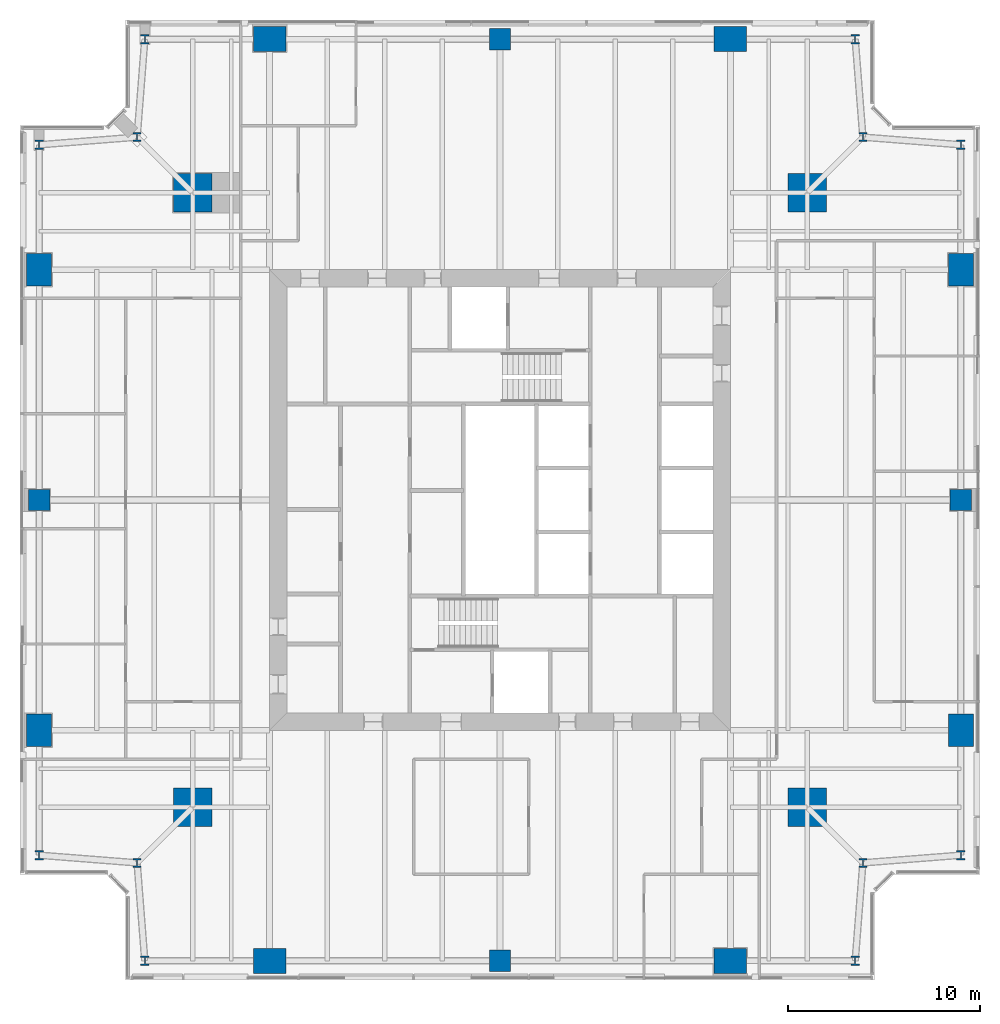
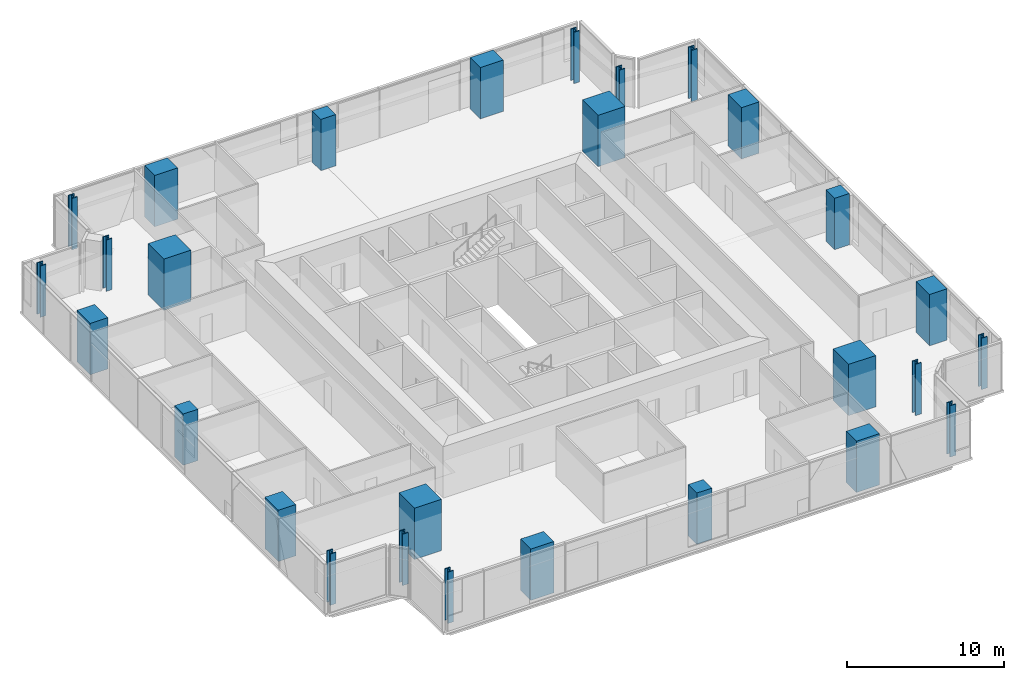
# One storey, part 1 of 14: 28 columns.
"""IFC4 building model written with IfcOpenShell, lengths in metres."""

from ifc_helpers import new_model, si_unit, direction, frame, origin, origin_2d, place, context, subcontext, project, spatial, rectangle, i_section, extrude, material, material_profile, profile_set, type_object, element, save


model = new_model("IFC4")

# Units and contexts
model_context = context("Model", 3, precision=1e-05, world=origin(), true_north=direction((0.0, 1.0)))
body_context = subcontext(model_context, "Body", "Model", "MODEL_VIEW")
ifc_project = project(units=[si_unit("LENGTHUNIT", "METRE"), si_unit("AREAUNIT", "SQUARE_METRE"), si_unit("VOLUMEUNIT", "CUBIC_METRE"), si_unit("PLANEANGLEUNIT", "RADIAN"), si_unit("MASSUNIT", "GRAM", prefix="KILO")], contexts=[model_context])

# Site, building, storey
site_placement = place(None, origin())
site = spatial("IfcSite", under=ifc_project, at=site_placement, CompositionType="ELEMENT")
building_placement = place(site_placement, origin())
building = spatial("IfcBuilding", under=site, at=building_placement, Name="Fenwick Lantern Interchange", CompositionType="ELEMENT")
storey_placement = place(building_placement, frame((0.0, 0.0, 221.800048828125)))
storey = spatial("IfcBuildingStorey", under=building, at=storey_placement, Name="L52", CompositionType="ELEMENT", Elevation=221.800048828125)

# Columns
ifc_material_1 = material(Name="Concrete f'c 70 MPa", Category="concrete")
ifc_material_profile_1 = material_profile(ifc_material_1, rectangle(XDim=2.0, YDim=2.0, at=origin_2d()), Name="RC2000X2000")
ifc_profile_set_1 = profile_set([ifc_material_profile_1], Name="Concrete f'c 70 MPa")
column_type_1 = type_object("IfcColumnType", Name="MEGA COLUMN RC2000X2000", PredefinedType="COLUMN", material=ifc_profile_set_1)
for number, where, z_axis, x_axis, name in (
    (1, (9.0, 9.0, 0.0), (0.0, 0.0, 1.0), (1.0, 0.0, 0.0), "L52/M1"),
    (2, (41.0, 9.0, 0.0), (0.0, 0.0, 1.0), (1.0, 0.0, 0.0), "L52/M2"),
    (3, (41.0, 41.0, 0.0), (0.0, 0.0, 1.0), (1.0, 0.0, 0.0), "L52/M3"),
    (4, (9.0, 41.0, 0.0), (0.0, 0.0, 1.0), (1.0, 0.0, 0.0), "L52/M4"),
):
    element("IfcColumn", number, at=place(storey_placement, frame(where, z_axis=z_axis, x_axis=x_axis)), inside=storey, type_object=column_type_1, Name=name, PredefinedType="COLUMN", context=body_context, shape_type="SweptSolid", body=[
        extrude(rectangle(XDim=2.0, YDim=2.0, at=origin_2d()), origin(), (0.0, 0.0, 1.0), 4.0),
    ])
ifc_material_profile_2 = material_profile(ifc_material_1, rectangle(XDim=1.10009765625, YDim=1.10009765625, at=origin_2d()), Name="RC1100X1100")
ifc_profile_set_2 = profile_set([ifc_material_profile_2], Name="Concrete f'c 70 MPa")
column_type_2 = type_object("IfcColumnType", Name="PERIMETER COLUMN RC1100X1100", PredefinedType="COLUMN", material=ifc_profile_set_2)
for number, where, z_axis, x_axis, name in (
    (5, (25.0, 1.0, 0.0), (0.0, 0.0, 1.0), (1.0, 0.0, 0.0), "L52/CS3"),
    (6, (49.0, 25.0, 0.0), (0.0, 0.0, 1.0), (1.0, 0.0, 0.0), "L52/CE3"),
    (7, (25.0, 49.0, 0.0), (0.0, 0.0, 1.0), (1.0, 0.0, 0.0), "L52/CN3"),
    (8, (1.0, 25.0, 0.0), (0.0, 0.0, 1.0), (1.0, 0.0, 0.0), "L52/CW3"),
):
    element("IfcColumn", number, at=place(storey_placement, frame(where, z_axis=z_axis, x_axis=x_axis)), inside=storey, type_object=column_type_2, Name=name, PredefinedType="COLUMN", context=body_context, shape_type="SweptSolid", body=[
        extrude(rectangle(XDim=1.10009765625, YDim=1.10009765625, at=origin_2d()), origin(), (0.0, 0.0, 1.0), 4.0),
    ])
ifc_material_profile_3 = material_profile(ifc_material_1, rectangle(XDim=1.300048828125, YDim=1.699951171875, at=origin_2d()), Name="RC1300X1700")
ifc_profile_set_3 = profile_set([ifc_material_profile_3], Name="Concrete f'c 70 MPa")
column_type_3 = type_object("IfcColumnType", Name="PERIMETER COLUMN RC1300X1700", PredefinedType="COLUMN", material=ifc_profile_set_3)
for number, where, z_axis, x_axis, name in (
    (9, (49.0, 13.0, 0.0), (0.0, 0.0, 1.0), (1.0, 0.0, 0.0), "L52/CE2"),
    (10, (49.0, 37.0, 0.0), (0.0, 0.0, 1.0), (1.0, 0.0, 0.0), "L52/CE4"),
    (11, (1.0, 37.0, 0.0), (0.0, 0.0, 1.0), (1.0, 0.0, 0.0), "L52/CW2"),
    (12, (1.0, 13.0, 0.0), (0.0, 0.0, 1.0), (1.0, 0.0, 0.0), "L52/CW4"),
):
    element("IfcColumn", number, at=place(storey_placement, frame(where, z_axis=z_axis, x_axis=x_axis)), inside=storey, type_object=column_type_3, Name=name, PredefinedType="COLUMN", context=body_context, shape_type="SweptSolid", body=[
        extrude(rectangle(XDim=1.300048828125, YDim=1.699951171875, at=origin_2d()), origin(), (0.0, 0.0, 1.0), 4.0),
    ])
ifc_material_profile_4 = material_profile(ifc_material_1, rectangle(XDim=1.699951171875, YDim=1.300048828125, at=origin_2d()), Name="RC1700X1300")
ifc_profile_set_4 = profile_set([ifc_material_profile_4], Name="Concrete f'c 70 MPa")
column_type_4 = type_object("IfcColumnType", Name="PERIMETER COLUMN RC1700X1300", PredefinedType="COLUMN", material=ifc_profile_set_4)
for number, where, z_axis, x_axis, name in (
    (13, (13.0, 1.0, 0.0), (0.0, 0.0, 1.0), (1.0, 0.0, 0.0), "L52/CS2"),
    (14, (37.0, 1.0, 0.0), (0.0, 0.0, 1.0), (1.0, 0.0, 0.0), "L52/CS4"),
    (15, (37.0, 49.0, 0.0), (0.0, 0.0, 1.0), (1.0, 0.0, 0.0), "L52/CN2"),
    (16, (13.0, 49.0, 0.0), (0.0, 0.0, 1.0), (1.0, 0.0, 0.0), "L52/CN4"),
):
    element("IfcColumn", number, at=place(storey_placement, frame(where, z_axis=z_axis, x_axis=x_axis)), inside=storey, type_object=column_type_4, Name=name, PredefinedType="COLUMN", context=body_context, shape_type="SweptSolid", body=[
        extrude(rectangle(XDim=1.699951171875, YDim=1.300048828125, at=origin_2d()), origin(), (0.0, 0.0, 1.0), 4.0),
    ])
ifc_material_2 = material(Name="Steel ASTM A992 Grade 50", Category="steel")
ifc_material_profile_5 = material_profile(ifc_material_2, i_section(OverallWidth=0.424072265625, OverallDepth=0.47509765625, WebThickness=0.0478515625, FlangeThickness=0.0771484375, at=origin_2d()), Name="W14X426")
ifc_profile_set_5 = profile_set([ifc_material_profile_5], Name="Steel ASTM A992 Grade 50")
column_type_5 = type_object("IfcColumnType", Name="PERIMETER COLUMN W14X426", PredefinedType="COLUMN", material=ifc_profile_set_5)
for number, where, z_axis, x_axis, name in (
    (17, (6.5, 1.0, 0.0), (0.0, 0.0, 1.0), (1.0, 0.0, 0.0), "L52/CS1"),
    (18, (43.5, 1.0, 0.0), (0.0, 0.0, 1.0), (1.0, 0.0, 0.0), "L52/CS5"),
    (19, (43.89990234375, 6.10009765625, 0.0), (0.0, 0.0, 1.0), (1.0, 0.0, 0.0), "L52/CSR"),
    (20, (49.0, 6.5, 0.0), (0.0, 0.0, 1.0), (1.0, 0.0, 0.0), "L52/CE1"),
    (21, (49.0, 43.5, 0.0), (0.0, 0.0, 1.0), (1.0, 0.0, 0.0), "L52/CE5"),
    (22, (43.89990234375, 43.89990234375, 0.0), (0.0, 0.0, 1.0), (1.0, 0.0, 0.0), "L52/CER"),
    (23, (43.5, 49.0, 0.0), (0.0, 0.0, 1.0), (1.0, 0.0, 0.0), "L52/CN1"),
    (24, (6.5, 49.0, 0.0), (0.0, 0.0, 1.0), (1.0, 0.0, 0.0), "L52/CN5"),
    (25, (6.10009765625, 43.89990234375, 0.0), (0.0, 0.0, 1.0), (1.0, 0.0, 0.0), "L52/CNR"),
    (26, (1.0, 43.5, 0.0), (0.0, 0.0, 1.0), (1.0, 0.0, 0.0), "L52/CW1"),
    (27, (1.0, 6.5, 0.0), (0.0, 0.0, 1.0), (1.0, 0.0, 0.0), "L52/CW5"),
    (28, (6.10009765625, 6.10009765625, 0.0), (0.0, 0.0, 1.0), (1.0, 0.0, 0.0), "L52/CWR"),
):
    element("IfcColumn", number, at=place(storey_placement, frame(where, z_axis=z_axis, x_axis=x_axis)), inside=storey, type_object=column_type_5, Name=name, PredefinedType="COLUMN", context=body_context, shape_type="SweptSolid", body=[
        extrude(i_section(OverallWidth=0.424072265625, OverallDepth=0.47509765625, WebThickness=0.0478515625, FlangeThickness=0.0771484375, at=origin_2d()), origin(), (0.0, 0.0, 1.0), 4.0),
    ])

save(model, "model.ifc")
